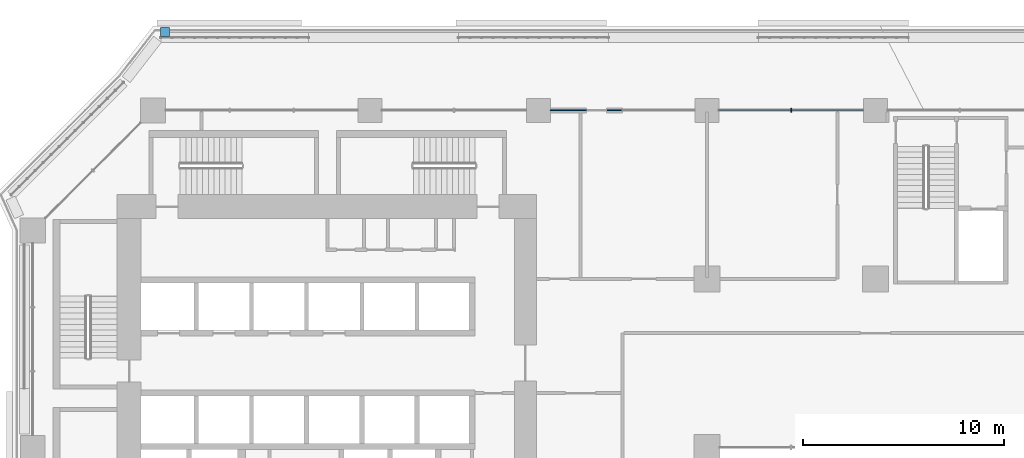
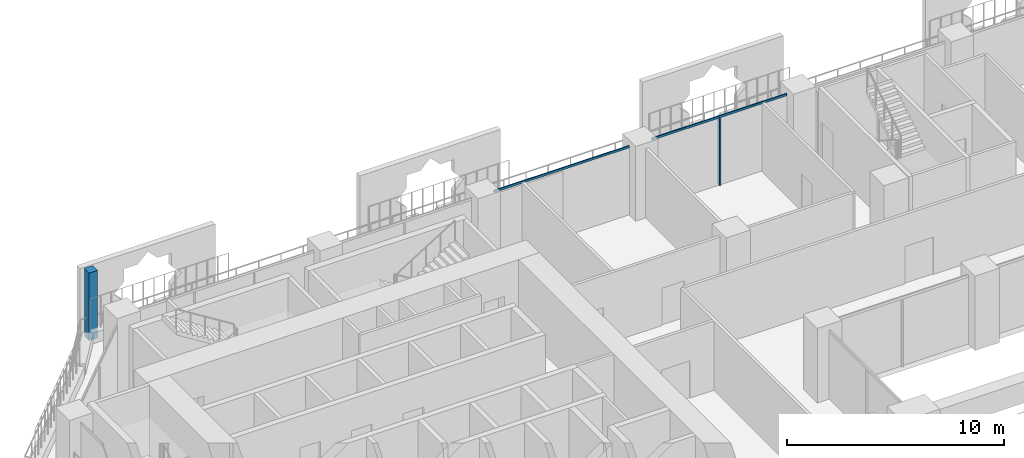
# One storey, part 8 of 27: 4 members, 2 elements without a shape of their own.
"""IFC4 building model written with IfcOpenShell, lengths in metres."""

import ifcopenshell
import ifcopenshell.guid

model = None  # the IFC model being written
_history = None  # IfcOwnerHistory: only IFC2X3 demands one
_inside = {}  # id of a spatial element -> (the spatial element, [elements in it])
_under = {}  # id of a project, library or spatial element -> (it, [spatial elements below it])
_declared = {}  # id of a project -> (the project, [libraries it declares])
_typed = {}  # id of a type object -> (the type object, [elements of that type])
_made_of = {}  # id of a material, layer set ... -> (it, [elements and type objects made of it])


def new_model(schema):
    """Start an empty IFC model of exactly this schema.

    Asked for "IFC4X3", IfcOpenShell would pick the latest addendum, in which some entities
    have other attributes; the version numbers below select the first issue.
    IFC2X3 requires an IfcOwnerHistory on every rooted entity: one is made here for all.
    """
    global model, _history
    if schema == "IFC4X3":
        model = ifcopenshell.file(schema_version=(4, 3, 0, 0))
    else:
        model = ifcopenshell.file(schema=schema)
    _inside.clear()
    _under.clear()
    _declared.clear()
    _typed.clear()
    _made_of.clear()
    _history = None
    if model.schema == "IFC2X3":
        org = make("IfcOrganization", Name="unknown")
        user = make(
            "IfcPersonAndOrganization",
            ThePerson=make("IfcPerson", FamilyName="unknown"),
            TheOrganization=org,
        )
        app = make(
            "IfcApplication",
            ApplicationDeveloper=org,
            Version="unknown",
            ApplicationFullName="unknown",
            ApplicationIdentifier="unknown",
        )
        _history = make(
            "IfcOwnerHistory",
            OwningUser=user,
            OwningApplication=app,
            ChangeAction="ADDED",
            CreationDate=0,
        )
    return model


def make(cls, **values):
    """One entity of the class cls with the attributes given. An attribute that is None is left unset."""
    return model.create_entity(
        cls, **{name: value for name, value in values.items() if value is not None}
    )


def rooted(cls, **values):
    """An entity with a GlobalId (a new one), such as an element, a storey or a relation."""
    return make(cls, GlobalId=ifcopenshell.guid.new(), OwnerHistory=_history, **values)


def si_unit(unit_type, name, prefix=None):
    """IfcSIUnit, for example si_unit("LENGTHUNIT", "METRE", prefix="MILLI")."""
    return make("IfcSIUnit", UnitType=unit_type, Prefix=prefix, Name=name)


def assignment(units):
    """IfcUnitAssignment: the units of a project."""
    return None if units is None else make("IfcUnitAssignment", Units=units)


def point(xyz):
    """IfcCartesianPoint."""
    return None if xyz is None else make("IfcCartesianPoint", Coordinates=xyz)


def direction(xyz):
    """IfcDirection."""
    return None if xyz is None else make("IfcDirection", DirectionRatios=xyz)


def frame(location, z_axis=None, x_axis=None):
    """IfcAxis2Placement3D, a coordinate frame: its origin and axes. An axis left out is left unset."""
    return make(
        "IfcAxis2Placement3D",
        Location=point(location),
        Axis=direction(z_axis),
        RefDirection=direction(x_axis),
    )


def frame_2d(location, x_axis=None):
    """IfcAxis2Placement2D, a coordinate frame in the plane: its origin and x axis."""
    return make(
        "IfcAxis2Placement2D", Location=point(location), RefDirection=direction(x_axis)
    )


def origin():
    """The frame at (0, 0, 0) with its axes left unset."""
    return frame((0.0, 0.0, 0.0))


def origin_2d():
    """The frame at (0, 0) in the plane with its x axis left unset."""
    return frame_2d((0.0, 0.0))


def place(relative_to, where):
    """IfcLocalPlacement: puts the frame where relative to a parent placement (None: the world)."""
    return make(
        "IfcLocalPlacement", PlacementRelTo=relative_to, RelativePlacement=where
    )


def context(
    kind, dimensions, precision=None, world=None, true_north=None, identifier=None
):
    """IfcGeometricRepresentationContext, for example the 3D "Model" context."""
    return make(
        "IfcGeometricRepresentationContext",
        ContextIdentifier=identifier,
        ContextType=kind,
        CoordinateSpaceDimension=dimensions,
        Precision=precision,
        WorldCoordinateSystem=world,
        TrueNorth=true_north,
    )


def subcontext(parent, identifier, kind, view, scale=None):
    """IfcGeometricRepresentationSubContext, for example "Body" below "Model"."""
    return make(
        "IfcGeometricRepresentationSubContext",
        ContextIdentifier=identifier,
        ContextType=kind,
        ParentContext=parent,
        TargetScale=scale,
        TargetView=view,
    )


def project(units=None, contexts=None):
    """IfcProject with its units and contexts."""
    return rooted(
        "IfcProject",
        Name="project",
        RepresentationContexts=contexts,
        UnitsInContext=assignment(units),
    )


def spatial(cls, under=None, at=None, **own):
    """A site, building, storey or space (cls), placed at a placement, below another one or the project."""
    s = rooted(cls, ObjectPlacement=at, **own)
    if under is not None:
        _under.setdefault(under.id(), (under, []))[1].append(s)
    return s


def profile(cls, at=None, kind="AREA", **sizes):
    """A parametric profile (cls). Its sizes go by their IFC names, for example OverallWidth=200.0."""
    return make(cls, ProfileType=kind, Position=at, **sizes)


def rectangle(**sizes):
    """IfcRectangleProfileDef."""
    return profile("IfcRectangleProfileDef", **sizes)


def extrude(swept, where, along, depth):
    """IfcExtrudedAreaSolid: the profile swept, set in the frame where, extruded along a direction by depth."""
    return make(
        "IfcExtrudedAreaSolid",
        SweptArea=swept,
        Position=where,
        ExtrudedDirection=direction(along),
        Depth=depth,
    )


def shape(context_of_items, identifier, shape_type, items):
    """IfcShapeRepresentation: the items that make up one representation, for example the "Body"."""
    return make(
        "IfcShapeRepresentation",
        ContextOfItems=context_of_items,
        RepresentationIdentifier=identifier,
        RepresentationType=shape_type,
        Items=items,
    )


def material(Name=None, Category=None):
    """IfcMaterial."""
    return make("IfcMaterial", Name=Name, Category=Category)


def layer(
    of_material, thickness, ventilated=None, Name=None, Category=None, Priority=None
):
    """IfcMaterialLayer: one layer of a wall or slab, of a material (None: an air gap)."""
    return make(
        "IfcMaterialLayer",
        Material=of_material,
        LayerThickness=thickness,
        IsVentilated=ventilated,
        Name=Name,
        Category=Category,
        Priority=Priority,
    )


def layer_set(layers, Name=None):
    """IfcMaterialLayerSet."""
    return make("IfcMaterialLayerSet", MaterialLayers=layers, LayerSetName=Name)


def material_profile(
    of_material, cross_section, Name=None, Category=None, Priority=None
):
    """IfcMaterialProfile: a cross section and its material."""
    return make(
        "IfcMaterialProfile",
        Name=Name,
        Material=of_material,
        Profile=cross_section,
        Priority=Priority,
        Category=Category,
    )


def profile_set(profiles, Name=None, composite=None):
    """IfcMaterialProfileSet."""
    return make(
        "IfcMaterialProfileSet",
        Name=Name,
        MaterialProfiles=profiles,
        CompositeProfile=composite,
    )


def made_of(thing, what):
    """Note that an element or type object is made of a material, layer set ...; save() writes the relation."""
    if what is not None:
        _made_of.setdefault(what.id(), (what, []))[1].append(thing)
    return thing


def type_object(cls, material=None, **own):
    """A type object (cls), such as IfcWallType, which elements share."""
    return made_of(rooted(cls, **own), material)


def element(
    cls,
    number,
    at=None,
    inside=None,
    cuts=None,
    type_object=None,
    material=None,
    context=None,
    identifier="Body",
    shape_type=None,
    held_by="IfcProductDefinitionShape",
    body=None,
    shapes=None,
    **own,
):
    """One element of the class cls, such as IfcWall. Its Tag is "e" and its number.

    at: its placement. inside: the storey or other place that contains it. cuts: it is an
    opening in that element (IfcRelVoidsElement). A single representation is given by context,
    identifier, shape_type and body (its items); several are given by shapes. held_by: the class
    of the entity that holds the representations. save() writes the other relations.
    """
    e = rooted(cls, Tag="e%d" % number, ObjectPlacement=at, **own)
    if body is not None:
        shapes = [shape(context, identifier, shape_type, body)]
    if shapes is not None:
        e.Representation = make(held_by, Representations=shapes)
    if inside is not None:
        _inside.setdefault(inside.id(), (inside, []))[1].append(e)
    if cuts is not None:
        rooted(
            "IfcRelVoidsElement", RelatingBuildingElement=cuts, RelatedOpeningElement=e
        )
    if type_object is not None:
        _typed.setdefault(type_object.id(), (type_object, []))[1].append(e)
    return made_of(e, material)


def aggregate(whole, parts):
    """IfcRelAggregates: a whole, such as a stair, and the parts it consists of."""
    return rooted("IfcRelAggregates", RelatingObject=whole, RelatedObjects=parts)


def save(model, path):
    """Write the relations noted so far, then the file.

    IfcRelAggregates (storeys below a building ...), IfcRelContainedInSpatialStructure (elements
    in a storey), IfcRelDefinesByType, IfcRelAssociatesMaterial and IfcRelDeclares: one each for
    every whole, place, type object, material and project.
    """
    for whole, parts in _under.values():
        aggregate(whole, parts)
    for where, things in _inside.values():
        rooted(
            "IfcRelContainedInSpatialStructure",
            RelatedElements=things,
            RelatingStructure=where,
        )
    for kind, things in _typed.values():
        rooted("IfcRelDefinesByType", RelatedObjects=things, RelatingType=kind)
    for what, things in _made_of.values():
        rooted("IfcRelAssociatesMaterial", RelatedObjects=things, RelatingMaterial=what)
    for by, libraries in _declared.values():
        rooted("IfcRelDeclares", RelatingContext=by, RelatedDefinitions=libraries)
    model.write(path)


model = new_model("IFC4")

# Units and contexts
model_context = context("Model", 3, precision=1e-05, world=origin(), true_north=direction((0.0, 1.0)))
body_context = subcontext(model_context, "Body", "Model", "MODEL_VIEW")
ifc_project = project(units=[si_unit("LENGTHUNIT", "METRE"), si_unit("AREAUNIT", "SQUARE_METRE"), si_unit("VOLUMEUNIT", "CUBIC_METRE"), si_unit("PLANEANGLEUNIT", "RADIAN"), si_unit("MASSUNIT", "GRAM", prefix="KILO")], contexts=[model_context])

# Site, building, storey
site_placement = place(None, origin())
site = spatial("IfcSite", under=ifc_project, at=site_placement, CompositionType="ELEMENT")
building_placement = place(site_placement, origin())
building = spatial("IfcBuilding", under=site, at=building_placement, Name="Kawkab Arch Medical Tower", CompositionType="ELEMENT")
storey_placement = place(building_placement, frame((0.0, 0.0, 43.39990234375)))
storey = spatial("IfcBuildingStorey", under=building, at=storey_placement, Name="L09", CompositionType="ELEMENT", Elevation=43.39990234375)

# Curtain wall, members
ifc_material_1 = material(Name="Bronze anodised aluminium curtain wall frame", Category="aluminium")
ifc_layer_1 = layer(ifc_material_1, 0.159912109375)
ifc_layer_set_1 = layer_set([ifc_layer_1], Name="Bronze anodised aluminium curtain wall frame")
curtain_wall_type_1 = type_object("IfcCurtainWallType", Name="CW1 ward curtain wall", PredefinedType="NOTDEFINED", material=ifc_layer_set_1)
placement = place(storey_placement, origin())
curtain_wall_1 = element("IfcCurtainWall", 1, at=placement, inside=storey, type_object=curtain_wall_type_1, Name="CW1 Ward curtain wall R09", PredefinedType="NOTDEFINED")
ifc_material_2 = material(Name="Bronze anodised aluminium curtain wall frame", Category="aluminium")
ifc_material_profile_1 = material_profile(ifc_material_2, rectangle(XDim=0.179931640625, YDim=0.06005859375, at=origin_2d()), Name="AL 60x180")
ifc_profile_set_1 = profile_set([ifc_material_profile_1], Name="Bronze anodised aluminium curtain wall frame")
member_type_1 = type_object("IfcMemberType", Name="CW1 mullion 60 x 180", PredefinedType="MULLION", material=ifc_profile_set_1)
member_1_placement = place(storey_placement, frame((37.800048828125, 0.0, 0.0), z_axis=(0.0, 0.0, 1.0), x_axis=(0.0, -1.0, 0.0)))
member_1 = element("IfcMember", 2, at=member_1_placement, type_object=member_type_1, Name="CW1 mullion 5.1", PredefinedType="MULLION", context=body_context, shape_type="SweptSolid", body=[
    extrude(rectangle(XDim=0.179931640625, YDim=0.06005859375, at=origin_2d()), origin(), (0.0, 0.0, 1.0), 3.780029296875),
])
ifc_material_3 = material(Name="Bronze anodised aluminium curtain wall frame", Category="aluminium")
ifc_material_profile_2 = material_profile(ifc_material_3, rectangle(XDim=0.06005859375, YDim=0.1201171875, at=origin_2d()), Name="AL 60x120")
ifc_profile_set_2 = profile_set([ifc_material_profile_2], Name="Bronze anodised aluminium curtain wall frame")
member_type_2 = type_object("IfcMemberType", Name="CW1 transom 120 x 60", PredefinedType="USERDEFINED", material=ifc_profile_set_2)
member_2_placement = place(storey_placement, frame((41.39990234375, 0.0, 3.840087890625), z_axis=(-1.0, 0.0, 0.0), x_axis=(0.0, -1.0, 0.0)))
member_2 = element("IfcMember", 3, at=member_2_placement, type_object=member_type_2, Name="CW1 transom 5", ObjectType="TRANSOM", PredefinedType="USERDEFINED", context=body_context, shape_type="SweptSolid", body=[
    extrude(rectangle(XDim=0.06005859375, YDim=0.1201171875, at=origin_2d()), origin(), (0.0, 0.0, 1.0), 7.199951171875),
])
member_3_placement = place(storey_placement, frame((33.0, 0.0, 3.840087890625), z_axis=(-1.0, 0.0, 0.0), x_axis=(0.0, -1.0, 0.0)))
member_3 = element("IfcMember", 4, at=member_3_placement, type_object=member_type_2, Name="CW1 transom 6", ObjectType="TRANSOM", PredefinedType="USERDEFINED", context=body_context, shape_type="SweptSolid", body=[
    extrude(rectangle(XDim=0.06005859375, YDim=0.1201171875, at=origin_2d()), origin(), (0.0, 0.0, 1.0), 7.199951171875),
])
aggregate(curtain_wall_1, [member_2, member_1, member_3])

# Curtain wall, member
ifc_material_4 = material(Name="Bronze anodised aluminium climber frame, planted", Category="aluminium")
ifc_layer_2 = layer(ifc_material_4, 0.449951171875)
ifc_layer_set_2 = layer_set([ifc_layer_2], Name="Bronze anodised aluminium climber frame, planted")
curtain_wall_type_2 = type_object("IfcCurtainWallType", Name="Planted climber frame", PredefinedType="NOTDEFINED", material=ifc_layer_set_2)
curtain_wall_2 = element("IfcCurtainWall", 5, at=placement, inside=storey, type_object=curtain_wall_type_2, Name="Planted climber frame L09", PredefinedType="NOTDEFINED")
ifc_material_5 = material(Name="Bronze anodised aluminium climber frame, planted", Category="aluminium")
ifc_material_profile_3 = material_profile(ifc_material_5, rectangle(XDim=0.449951171875, YDim=0.449951171875, at=origin_2d()), Name="Post 450x450")
ifc_profile_set_3 = profile_set([ifc_material_profile_3], Name="Bronze anodised aluminium climber frame, planted")
member_type_3 = type_object("IfcMemberType", Name="Planted climber post 450 x 450", PredefinedType="MULLION", material=ifc_profile_set_3)
member_4_placement = place(storey_placement, frame((6.596923828125, 3.89990234375, 0.0), z_axis=(0.0, 0.0, 1.0), x_axis=(1.0, 0.0, 0.0)))
member_4 = element("IfcMember", 6, at=member_4_placement, type_object=member_type_3, Name="Planted climber post L09.LOG-01-02.3", PredefinedType="MULLION", context=body_context, shape_type="SweptSolid", body=[
    extrude(rectangle(XDim=0.449951171875, YDim=0.449951171875, at=origin_2d()), origin(), (0.0, 0.0, 1.0), 3.800048828125),
])
aggregate(curtain_wall_2, [member_4])

save(model, "model.ifc")
